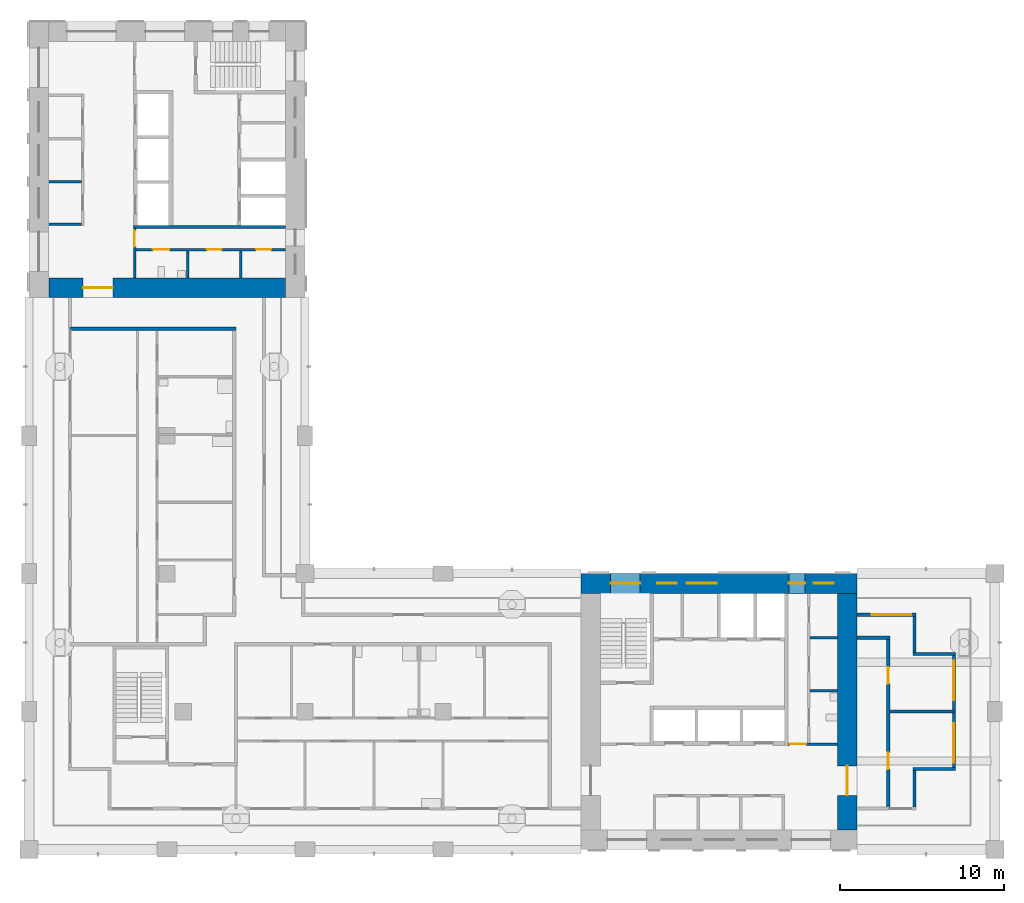
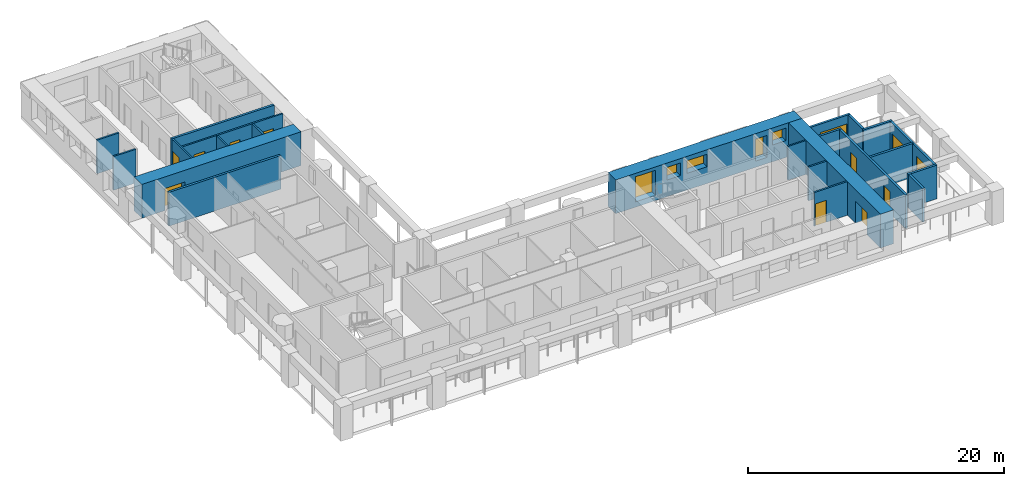
# One storey, part 5 of 13: 23 walls, 10 doors, 7 windows, 17 openings.
"""IFC4 building model written with IfcOpenShell, lengths in metres."""

from ifc_helpers import new_model, si_unit, direction, frame, frame_2d, origin, place, context, subcontext, project, spatial, rectangle, extrude, material, layer, layer_set, type_object, element, fill, save


model = new_model("IFC4")

# Units and contexts
model_context = context("Model", 3, precision=1e-05, world=origin(), true_north=direction((0.0, 1.0)))
body_context = subcontext(model_context, "Body", "Model", "MODEL_VIEW")
ifc_project = project(units=[si_unit("LENGTHUNIT", "METRE"), si_unit("AREAUNIT", "SQUARE_METRE"), si_unit("VOLUMEUNIT", "CUBIC_METRE"), si_unit("PLANEANGLEUNIT", "RADIAN"), si_unit("MASSUNIT", "GRAM", prefix="KILO")], contexts=[model_context])

# Site, building, storey
site_placement = place(None, origin())
site = spatial("IfcSite", under=ifc_project, at=site_placement, CompositionType="ELEMENT")
building_placement = place(site_placement, origin())
building = spatial("IfcBuilding", under=site, at=building_placement, Name="Vermilion Gate Residences", CompositionType="ELEMENT")
storey_placement = place(building_placement, frame((0.0, 0.0, 196.699951171875)))
storey = spatial("IfcBuildingStorey", under=building, at=storey_placement, Name="L51", CompositionType="ELEMENT", Elevation=196.699951171875)

# Wall, opening, door
ifc_material_1 = material(Name="Masonry blockwork", Category="masonry")
ifc_layer_1 = layer(ifc_material_1, 0.14990234375)
ifc_layer_set_1 = layer_set([ifc_layer_1], Name="BLOCKWORK PARTITION 150 EI 120")
wall_type_1 = type_object("IfcWallType", Name="BLOCKWORK PARTITION 150 EI 120", PredefinedType="PARTITIONING", material=ifc_layer_set_1)
wall_1_placement = place(storey_placement, frame((54.60009765625, 14.824951171875, 0.0), z_axis=(0.0, 0.0, 1.0), x_axis=(1.0, 0.0, 0.0)))
wall_1 = element("IfcWall", 1, at=wall_1_placement, inside=storey, type_object=wall_type_1, Name="Core room partition A51-ES-S", PredefinedType="PARTITIONING", context=body_context, shape_type="SweptSolid", body=[
    extrude(rectangle(XDim=3.0, YDim=0.14990234375, at=frame_2d((1.5, 0.0))), origin(), (0.0, 0.0, 1.0), 3.219970703125),
])
opening_1_placement = place(wall_1_placement, frame((0.10009765625, 0.0, 0.0)))
opening_1 = element("IfcOpeningElement", 2, at=opening_1_placement, cuts=wall_1, Name="Opening DK51015", PredefinedType="OPENING", context=body_context, shape_type="SweptSolid", body=[
    extrude(rectangle(XDim=1.0, YDim=2.10009765625, at=frame_2d((0.5, 1.050048828125))), frame((0.0, 0.0849609375, 0.0), z_axis=(0.0, -1.0, 0.0), x_axis=(1.0, 0.0, 0.0)), (0.0, 0.0, 1.0), 0.169921875),
])
ifc_material_2 = material(Name="Steel", Category="steel")
door_type_1 = type_object("IfcDoorType", Name="FIRE DOOR FD60 1000 X 2100", OperationType="SINGLE_SWING_LEFT", PredefinedType="DOOR", material=ifc_material_2)
door_1_placement = place(opening_1_placement, frame((1.0, 0.0, 0.0), z_axis=(0.0, 0.0, 1.0), x_axis=(-1.0, 0.0, 0.0)))
door_1 = element("IfcDoor", 3, at=door_1_placement, inside=storey, type_object=door_type_1, Name="Service corridor door A51", OperationType="SINGLE_SWING_LEFT", OverallHeight=2.10009765625, OverallWidth=1.0, PredefinedType="DOOR", context=body_context, shape_type="SweptSolid", body=[
    extrude(rectangle(XDim=1.0, YDim=2.10009765625, at=frame_2d((0.5, 1.050048828125))), frame((0.0, 0.02490234375, 0.0), z_axis=(0.0, -1.0, 0.0), x_axis=(1.0, 0.0, 0.0)), (0.0, 0.0, 1.0), 0.050048828125),
])
fill(opening_1, door_1)

# Walls
for number, where, z_axis, x_axis, name in (
    (4, (55.949951171875, 18.054931640625, 0.0), (0.0, 0.0, 1.0), (1.0, 0.0, 0.0), "Core room partition A51-ES-P0"),
    (5, (55.949951171875, 21.284912109375, 0.0), (0.0, 0.0, 1.0), (1.0, 0.0, 0.0), "Core room partition A51-ES-P1"),
):
    element("IfcWall", number, at=place(storey_placement, frame(where, z_axis=z_axis, x_axis=x_axis)), inside=storey, type_object=wall_type_1, Name=name, PredefinedType="PARTITIONING", context=body_context, shape_type="SweptSolid", body=[
        extrude(rectangle(XDim=1.650146484375, YDim=0.14990234375, at=frame_2d((0.8251953125, 0.0))), origin(), (0.0, 0.0, 1.0), 3.219970703125),
    ])
for number, where, z_axis, x_axis, name in (
    (6, (9.60009765625, 46.47509765625, 0.0), (0.0, 0.0, 1.0), (1.0, 0.0, 0.0), "Core room partition B51-RW-E"),
    (7, (9.60009765625, 49.06689453125, 0.0), (0.0, 0.0, 1.0), (1.0, 0.0, 0.0), "Core room partition B51-SR-P1"),
):
    element("IfcWall", number, at=place(storey_placement, frame(where, z_axis=z_axis, x_axis=x_axis)), inside=storey, type_object=wall_type_1, Name=name, PredefinedType="PARTITIONING", context=body_context, shape_type="SweptSolid", body=[
        extrude(rectangle(XDim=2.0, YDim=0.14990234375, at=frame_2d((1.0, 0.0))), origin(), (0.0, 0.0, 1.0), 3.219970703125),
    ])

# Wall, opening, door
wall_2_placement = place(storey_placement, frame((14.824951171875, 46.199951171875, 0.0), z_axis=(0.0, 0.0, 1.0), x_axis=(0.0, -1.0, 0.0)))
wall_2 = element("IfcWall", 8, at=wall_2_placement, inside=storey, type_object=wall_type_1, Name="Core room partition B51-ES-S", PredefinedType="PARTITIONING", context=body_context, shape_type="SweptSolid", body=[
    extrude(rectangle(XDim=3.0, YDim=0.14990234375, at=frame_2d((1.5, 0.0))), origin(), (0.0, 0.0, 1.0), 3.219970703125),
])
opening_2_placement = place(wall_2_placement, frame((0.10009765625, 0.0, 0.0)))
opening_2 = element("IfcOpeningElement", 9, at=opening_2_placement, cuts=wall_2, Name="Opening DK51114", PredefinedType="OPENING", context=body_context, shape_type="SweptSolid", body=[
    extrude(rectangle(XDim=1.0, YDim=2.10009765625, at=frame_2d((0.5, 1.050048828125))), frame((0.0, 0.0849609375, 0.0), z_axis=(0.0, -1.0, 0.0), x_axis=(1.0, 0.0, 0.0)), (0.0, 0.0, 1.0), 0.169921875),
])
door_2_placement = place(opening_2_placement, frame((1.0, 0.0, 0.0), z_axis=(0.0, 0.0, 1.0), x_axis=(-1.0, 0.0, 0.0)))
door_2 = element("IfcDoor", 10, at=door_2_placement, inside=storey, type_object=door_type_1, Name="Service corridor door B51", OperationType="SINGLE_SWING_LEFT", OverallHeight=2.10009765625, OverallWidth=1.0, PredefinedType="DOOR", context=body_context, shape_type="SweptSolid", body=[
    extrude(rectangle(XDim=1.0, YDim=2.10009765625, at=frame_2d((0.5, 1.050048828125))), frame((0.0, 0.02490234375, 0.0), z_axis=(0.0, -1.0, 0.0), x_axis=(1.0, 0.0, 0.0)), (0.0, 0.0, 1.0), 0.050048828125),
])
fill(opening_2, door_2)

# Walls
for number, where, z_axis, x_axis, name in (
    (11, (18.054931640625, 44.85009765625, 0.0), (0.0, 0.0, 1.0), (0.0, -1.0, 0.0), "Core room partition B51-ES-P0"),
    (12, (21.284912109375, 44.85009765625, 0.0), (0.0, 0.0, 1.0), (0.0, -1.0, 0.0), "Core room partition B51-ES-P1"),
):
    element("IfcWall", number, at=place(storey_placement, frame(where, z_axis=z_axis, x_axis=x_axis)), inside=storey, type_object=wall_type_1, Name=name, PredefinedType="PARTITIONING", context=body_context, shape_type="SweptSolid", body=[
        extrude(rectangle(XDim=1.650146484375, YDim=0.14990234375, at=frame_2d((0.8251953125, 0.0))), origin(), (0.0, 0.0, 1.0), 3.219970703125),
    ])

# Wall, openings, doors
wall_3_placement = place(storey_placement, frame((14.89990234375, 44.925048828125, 0.0), z_axis=(0.0, 0.0, 1.0), x_axis=(1.0, 0.0, 0.0)))
wall_3 = element("IfcWall", 13, at=wall_3_placement, inside=storey, type_object=wall_type_1, Name="Core room partition B51-ES-W", PredefinedType="PARTITIONING", context=body_context, shape_type="SweptSolid", body=[
    extrude(rectangle(XDim=9.10009765625, YDim=0.14990234375, at=frame_2d((4.550048828125, 0.0))), origin(), (0.0, 0.0, 1.0), 3.219970703125),
])
opening_3_placement = place(wall_3_placement, frame((1.0400390625, 0.0, 0.0)))
opening_3 = element("IfcOpeningElement", 14, at=opening_3_placement, cuts=wall_3, Name="Opening DK51115", PredefinedType="OPENING", context=body_context, shape_type="SweptSolid", body=[
    extrude(rectangle(XDim=1.0, YDim=2.10009765625, at=frame_2d((0.5, 1.050048828125))), frame((0.0, 0.0849609375, 0.0), z_axis=(0.0, -1.0, 0.0), x_axis=(1.0, 0.0, 0.0)), (0.0, 0.0, 1.0), 0.169921875),
])
opening_4_placement = place(wall_3_placement, frame((4.320068359375, 0.0, 0.0)))
opening_4 = element("IfcOpeningElement", 15, at=opening_4_placement, cuts=wall_3, Name="Opening DK51116", PredefinedType="OPENING", context=body_context, shape_type="SweptSolid", body=[
    extrude(rectangle(XDim=0.89990234375, YDim=2.10009765625, at=frame_2d((0.449951171875, 1.050048828125))), frame((0.0, 0.0849609375, 0.0), z_axis=(0.0, -1.0, 0.0), x_axis=(1.0, 0.0, 0.0)), (0.0, 0.0, 1.0), 0.169921875),
])
opening_5_placement = place(wall_3_placement, frame((7.330078125, 0.0, 0.0)))
opening_5 = element("IfcOpeningElement", 16, at=opening_5_placement, cuts=wall_3, Name="Opening DK51117", PredefinedType="OPENING", context=body_context, shape_type="SweptSolid", body=[
    extrude(rectangle(XDim=0.89990234375, YDim=2.10009765625, at=frame_2d((0.449951171875, 1.050048828125))), frame((0.0, 0.0849609375, 0.0), z_axis=(0.0, -1.0, 0.0), x_axis=(1.0, 0.0, 0.0)), (0.0, 0.0, 1.0), 0.169921875),
])
door_3_placement = place(opening_3_placement, frame((1.0, 0.0, 0.0), z_axis=(0.0, 0.0, 1.0), x_axis=(-1.0, 0.0, 0.0)))
door_3 = element("IfcDoor", 17, at=door_3_placement, inside=storey, type_object=door_type_1, Name="Accessible WC B51", OperationType="SINGLE_SWING_LEFT", OverallHeight=2.10009765625, OverallWidth=1.0, PredefinedType="DOOR", context=body_context, shape_type="SweptSolid", body=[
    extrude(rectangle(XDim=1.0, YDim=2.10009765625, at=frame_2d((0.5, 1.050048828125))), frame((0.0, 0.02490234375, 0.0), z_axis=(0.0, -1.0, 0.0), x_axis=(1.0, 0.0, 0.0)), (0.0, 0.0, 1.0), 0.050048828125),
])
fill(opening_3, door_3)
ifc_material_3 = material(Name="Steel", Category="steel")
door_type_2 = type_object("IfcDoorType", Name="SERVICE ROOM DOOR FD60 900 X 2100", OperationType="SINGLE_SWING_LEFT", PredefinedType="DOOR", material=ifc_material_3)
door_4_placement = place(opening_4_placement, frame((0.89990234375, 0.0, 0.0), z_axis=(0.0, 0.0, 1.0), x_axis=(-1.0, 0.0, 0.0)))
door_4 = element("IfcDoor", 18, at=door_4_placement, inside=storey, type_object=door_type_2, Name="Refuse room B51", OperationType="SINGLE_SWING_RIGHT", OverallHeight=2.10009765625, OverallWidth=0.89990234375, PredefinedType="DOOR", context=body_context, shape_type="SweptSolid", body=[
    extrude(rectangle(XDim=0.89990234375, YDim=2.10009765625, at=frame_2d((0.449951171875, 1.050048828125))), frame((0.0, 0.02490234375, 0.0), z_axis=(0.0, -1.0, 0.0), x_axis=(1.0, 0.0, 0.0)), (0.0, 0.0, 1.0), 0.050048828125),
])
fill(opening_4, door_4)
door_5_placement = place(opening_5_placement, frame((0.89990234375, 0.0, 0.0), z_axis=(0.0, 0.0, 1.0), x_axis=(-1.0, 0.0, 0.0)))
door_5 = element("IfcDoor", 19, at=door_5_placement, inside=storey, type_object=door_type_2, Name="Parcel room B51", OperationType="SINGLE_SWING_LEFT", OverallHeight=2.10009765625, OverallWidth=0.89990234375, PredefinedType="DOOR", context=body_context, shape_type="SweptSolid", body=[
    extrude(rectangle(XDim=0.89990234375, YDim=2.10009765625, at=frame_2d((0.449951171875, 1.050048828125))), frame((0.0, 0.02490234375, 0.0), z_axis=(0.0, -1.0, 0.0), x_axis=(1.0, 0.0, 0.0)), (0.0, 0.0, 1.0), 0.050048828125),
])
fill(opening_5, door_5)

# Walls
ifc_material_4 = material(Name="Insulated steel stud wall with terracotta rainscreen", Category="masonry")
ifc_layer_2 = layer(ifc_material_4, 0.199951171875)
ifc_layer_set_2 = layer_set([ifc_layer_2], Name="EXTERNAL WALL 200 TERRACOTTA RAINSCREEN")
wall_type_2 = type_object("IfcWallType", Name="EXTERNAL WALL 200 TERRACOTTA RAINSCREEN", PredefinedType="SOLIDWALL", material=ifc_layer_set_2)
wall_4_placement = place(storey_placement, frame((62.300048828125, 11.0, 0.0), z_axis=(0.0, 0.0, 1.0), x_axis=(0.0, 1.0, 0.0)))
element("IfcWall", 20, at=wall_4_placement, inside=storey, type_object=wall_type_2, Name="External wall", PredefinedType="SOLIDWALL", context=body_context, shape_type="SweptSolid", body=[
    extrude(rectangle(XDim=2.199951171875, YDim=0.199951171875, at=frame_2d((1.10009765625, 0.0))), origin(), (0.0, 0.0, 1.0), 3.219970703125),
])
wall_5_placement = place(storey_placement, frame((62.199951171875, 13.300048828125, 0.0), z_axis=(0.0, 0.0, 1.0), x_axis=(1.0, 0.0, 0.0)))
element("IfcWall", 21, at=wall_5_placement, inside=storey, type_object=wall_type_2, Name="External wall", PredefinedType="SOLIDWALL", context=body_context, shape_type="SweptSolid", body=[
    extrude(rectangle(XDim=2.60009765625, YDim=0.199951171875, at=frame_2d((1.300048828125, 0.0))), origin(), (0.0, 0.0, 1.0), 3.219970703125),
])

# Wall, openings, door, window
wall_6_placement = place(storey_placement, frame((64.699951171875, 13.39990234375, 0.0), z_axis=(0.0, 0.0, 1.0), x_axis=(0.0, 1.0, 0.0)))
wall_6 = element("IfcWall", 22, at=wall_6_placement, inside=storey, type_object=wall_type_2, Name="External wall", PredefinedType="SOLIDWALL", context=body_context, shape_type="SweptSolid", body=[
    extrude(rectangle(XDim=6.800048828125, YDim=0.199951171875, at=frame_2d((3.39990234375, 0.0))), origin(), (0.0, 0.0, 1.0), 3.219970703125),
])
opening_6_placement = place(wall_6_placement, frame((0.300048828125, 0.0, 0.89990234375)))
opening_6 = element("IfcOpeningElement", 23, at=opening_6_placement, cuts=wall_6, Name="Opening WE51016", PredefinedType="OPENING", context=body_context, shape_type="SweptSolid", body=[
    extrude(rectangle(XDim=2.39990234375, YDim=1.5, at=frame_2d((1.199951171875, 0.75))), frame((0.0, 0.10986328125, 0.0), z_axis=(0.0, -1.0, 0.0), x_axis=(1.0, 0.0, 0.0)), (0.0, 0.0, 1.0), 0.219970703125),
])
opening_7_placement = place(wall_6_placement, frame((4.10009765625, 0.0, 0.0)))
opening_7 = element("IfcOpeningElement", 24, at=opening_7_placement, cuts=wall_6, Name="Opening DE51019", PredefinedType="OPENING", context=body_context, shape_type="SweptSolid", body=[
    extrude(rectangle(XDim=2.39990234375, YDim=2.199951171875, at=frame_2d((1.199951171875, 1.10009765625))), frame((0.0, 0.10986328125, 0.0), z_axis=(0.0, -1.0, 0.0), x_axis=(1.0, 0.0, 0.0)), (0.0, 0.0, 1.0), 0.219970703125),
])
ifc_material_5 = material(Name="Aluminium and clear glass", Category="aluminium")
door_type_3 = type_object("IfcDoorType", Name="SLIDING GLAZED DOOR 2400 X 2200", OperationType="DOUBLE_DOOR_SLIDING", PredefinedType="DOOR", material=ifc_material_5)
door_6_placement = place(opening_7_placement, origin())
door_6 = element("IfcDoor", 25, at=door_6_placement, inside=storey, type_object=door_type_3, Name="Loggia sliding door", OperationType="DOUBLE_DOOR_SLIDING", OverallHeight=2.199951171875, OverallWidth=2.39990234375, PredefinedType="DOOR", context=body_context, shape_type="SweptSolid", body=[
    extrude(rectangle(XDim=2.39990234375, YDim=2.199951171875, at=frame_2d((1.199951171875, 1.10009765625))), frame((0.0, 0.02490234375, 0.0), z_axis=(0.0, -1.0, 0.0), x_axis=(1.0, 0.0, 0.0)), (0.0, 0.0, 1.0), 0.050048828125),
])
fill(opening_7, door_6)
ifc_material_6 = material(Name="Aluminium and clear glass", Category="aluminium")
window_type_1 = type_object("IfcWindowType", Name="WINDOW 2400 X 1500", PartitioningType="SINGLE_PANEL", PredefinedType="WINDOW", material=ifc_material_6)
window_1_placement = place(opening_6_placement, origin())
window_1 = element("IfcWindow", 26, at=window_1_placement, inside=storey, type_object=window_type_1, Name="Window", OverallHeight=1.5, OverallWidth=2.39990234375, PartitioningType="SINGLE_PANEL", PredefinedType="WINDOW", context=body_context, shape_type="SweptSolid", body=[
    extrude(rectangle(XDim=2.39990234375, YDim=1.5, at=frame_2d((1.199951171875, 0.75))), frame((0.0, 0.030029296875, 0.0), z_axis=(0.0, -1.0, 0.0), x_axis=(1.0, 0.0, 0.0)), (0.0, 0.0, 1.0), 0.06005859375),
])
fill(opening_6, window_1)

# Walls
wall_7_placement = place(storey_placement, frame((64.800048828125, 20.300048828125, 0.0), z_axis=(0.0, 0.0, 1.0), x_axis=(-1.0, 0.0, 0.0)))
element("IfcWall", 27, at=wall_7_placement, inside=storey, type_object=wall_type_2, Name="External wall", PredefinedType="SOLIDWALL", context=body_context, shape_type="SweptSolid", body=[
    extrude(rectangle(XDim=2.60009765625, YDim=0.199951171875, at=frame_2d((1.300048828125, 0.0))), origin(), (0.0, 0.0, 1.0), 3.219970703125),
])
wall_8_placement = place(storey_placement, frame((62.300048828125, 20.39990234375, 0.0), z_axis=(0.0, 0.0, 1.0), x_axis=(0.0, 1.0, 0.0)))
element("IfcWall", 28, at=wall_8_placement, inside=storey, type_object=wall_type_2, Name="External wall", PredefinedType="SOLIDWALL", context=body_context, shape_type="SweptSolid", body=[
    extrude(rectangle(XDim=2.2001953125, YDim=0.199951171875, at=frame_2d((1.10009765625, 0.0))), origin(), (0.0, 0.0, 1.0), 3.219970703125),
])

# Wall, opening, window
wall_9_placement = place(storey_placement, frame((62.39990234375, 22.699951171875, 0.0), z_axis=(0.0, 0.0, 1.0), x_axis=(-1.0, 0.0, 0.0)))
wall_9 = element("IfcWall", 29, at=wall_9_placement, inside=storey, type_object=wall_type_2, Name="External wall", PredefinedType="SOLIDWALL", context=body_context, shape_type="SweptSolid", body=[
    extrude(rectangle(XDim=3.599853515625, YDim=0.199951171875, at=frame_2d((1.7998046875, 0.0))), origin(), (0.0, 0.0, 1.0), 3.219970703125),
])
opening_8_placement = place(wall_9_placement, frame((0.300048828125, 0.0, 0.89990234375)))
opening_8 = element("IfcOpeningElement", 30, at=opening_8_placement, cuts=wall_9, Name="Opening WE51018", PredefinedType="OPENING", context=body_context, shape_type="SweptSolid", body=[
    extrude(rectangle(XDim=2.39990234375, YDim=1.5, at=frame_2d((1.199951171875, 0.75))), frame((0.0, 0.10986328125, 0.0), z_axis=(0.0, -1.0, 0.0), x_axis=(1.0, 0.0, 0.0)), (0.0, 0.0, 1.0), 0.219970703125),
])
window_2_placement = place(opening_8_placement, origin())
window_2 = element("IfcWindow", 31, at=window_2_placement, inside=storey, type_object=window_type_1, Name="Window", OverallHeight=1.5, OverallWidth=2.39990234375, PartitioningType="SINGLE_PANEL", PredefinedType="WINDOW", context=body_context, shape_type="SweptSolid", body=[
    extrude(rectangle(XDim=2.39990234375, YDim=1.5, at=frame_2d((1.199951171875, 0.75))), frame((0.0, 0.030029296875, 0.0), z_axis=(0.0, -1.0, 0.0), x_axis=(1.0, 0.0, 0.0)), (0.0, 0.0, 1.0), 0.06005859375),
])
fill(opening_8, window_2)

# Walls
ifc_material_7 = material(Name="Fire-rated plasterboard on steel studs", Category="steel")
ifc_layer_3 = layer(ifc_material_7, 0.199951171875)
ifc_layer_set_3 = layer_set([ifc_layer_3], Name="PARTY WALL 200 EI 120")
wall_type_3 = type_object("IfcWallType", Name="PARTY WALL 200 EI 120", PredefinedType="PARTITIONING", material=ifc_layer_set_3)
wall_10_placement = place(storey_placement, frame((60.800048828125, 16.800048828125, 0.0), z_axis=(0.0, 0.0, 1.0), x_axis=(1.0, 0.0, 0.0)))
element("IfcWall", 32, at=wall_10_placement, inside=storey, type_object=wall_type_3, Name="Party and corridor wall", PredefinedType="PARTITIONING", context=body_context, shape_type="SweptSolid", body=[
    extrude(rectangle(XDim=3.89990234375, YDim=0.199951171875, at=frame_2d((1.949951171875, 0.0))), origin(), (0.0, 0.0, 1.0), 3.219970703125),
])
wall_11_placement = place(storey_placement, frame((58.800048828125, 21.300048828125, 0.0), z_axis=(0.0, 0.0, 1.0), x_axis=(1.0, 0.0, 0.0)))
element("IfcWall", 33, at=wall_11_placement, inside=storey, type_object=wall_type_3, Name="Party and corridor wall", PredefinedType="PARTITIONING", context=body_context, shape_type="SweptSolid", body=[
    extrude(rectangle(XDim=2.0, YDim=0.199951171875, at=frame_2d((1.0, 0.0))), origin(), (0.0, 0.0, 1.0), 3.219970703125),
])
wall_12_placement = place(storey_placement, frame((10.89990234375, 40.10009765625, 0.0), z_axis=(0.0, 0.0, 1.0), x_axis=(1.0, 0.0, 0.0)))
element("IfcWall", 34, at=wall_12_placement, inside=storey, type_object=wall_type_3, Name="Party and corridor wall", PredefinedType="PARTITIONING", context=body_context, shape_type="SweptSolid", body=[
    extrude(rectangle(XDim=10.10009765625, YDim=0.199951171875, at=frame_2d((5.050048828125, 0.0))), origin(), (0.0, 0.0, 1.0), 3.219970703125),
])

# Wall, openings, doors
wall_13_placement = place(storey_placement, frame((60.699951171875, 10.89990234375, 0.0), z_axis=(0.0, 0.0, 1.0), x_axis=(0.0, 1.0, 0.0)))
wall_13 = element("IfcWall", 35, at=wall_13_placement, inside=storey, type_object=wall_type_3, Name="Party and corridor wall", PredefinedType="PARTITIONING", context=body_context, shape_type="SweptSolid", body=[
    extrude(rectangle(XDim=10.300048828125, YDim=0.199951171875, at=frame_2d((5.14990234375, 0.0))), origin(), (0.0, 0.0, 1.0), 3.219970703125),
])
opening_9_placement = place(wall_13_placement, frame((2.39990234375, 0.0, 0.0)))
opening_9 = element("IfcOpeningElement", 36, at=opening_9_placement, cuts=wall_13, Name="Opening DA49021", PredefinedType="OPENING", context=body_context, shape_type="SweptSolid", body=[
    extrude(rectangle(XDim=1.0, YDim=2.10009765625, at=frame_2d((0.5, 1.050048828125))), frame((0.0, 0.10986328125, 0.0), z_axis=(0.0, -1.0, 0.0), x_axis=(1.0, 0.0, 0.0)), (0.0, 0.0, 1.0), 0.219970703125),
])
opening_10_placement = place(wall_13_placement, frame((7.60009765625, 0.0, 0.0)))
opening_10 = element("IfcOpeningElement", 37, at=opening_10_placement, cuts=wall_13, Name="Opening DA49022", PredefinedType="OPENING", context=body_context, shape_type="SweptSolid", body=[
    extrude(rectangle(XDim=1.0, YDim=2.10009765625, at=frame_2d((0.5, 1.050048828125))), frame((0.0, 0.10986328125, 0.0), z_axis=(0.0, -1.0, 0.0), x_axis=(1.0, 0.0, 0.0)), (0.0, 0.0, 1.0), 0.219970703125),
])
ifc_material_8 = material(Name="Steel", Category="steel")
door_type_4 = type_object("IfcDoorType", Name="ENTRANCE DOOR 1000 X 2100 FD30", OperationType="SINGLE_SWING_LEFT", PredefinedType="DOOR", material=ifc_material_8)
door_7_placement = place(opening_9_placement, frame((1.0, 0.0, 0.0), z_axis=(0.0, 0.0, 1.0), x_axis=(-1.0, 0.0, 0.0)))
door_7 = element("IfcDoor", 38, at=door_7_placement, inside=storey, type_object=door_type_4, Name="Entrance door", OperationType="SINGLE_SWING_RIGHT", OverallHeight=2.10009765625, OverallWidth=1.0, PredefinedType="DOOR", context=body_context, shape_type="SweptSolid", body=[
    extrude(rectangle(XDim=1.0, YDim=2.10009765625, at=frame_2d((0.5, 1.050048828125))), frame((0.0, 0.02490234375, 0.0), z_axis=(0.0, -1.0, 0.0), x_axis=(1.0, 0.0, 0.0)), (0.0, 0.0, 1.0), 0.050048828125),
])
fill(opening_9, door_7)
door_8_placement = place(opening_10_placement, frame((1.0, 0.0, 0.0), z_axis=(0.0, 0.0, 1.0), x_axis=(-1.0, 0.0, 0.0)))
door_8 = element("IfcDoor", 39, at=door_8_placement, inside=storey, type_object=door_type_4, Name="Entrance door", OperationType="SINGLE_SWING_RIGHT", OverallHeight=2.10009765625, OverallWidth=1.0, PredefinedType="DOOR", context=body_context, shape_type="SweptSolid", body=[
    extrude(rectangle(XDim=1.0, YDim=2.10009765625, at=frame_2d((0.5, 1.050048828125))), frame((0.0, 0.02490234375, 0.0), z_axis=(0.0, -1.0, 0.0), x_axis=(1.0, 0.0, 0.0)), (0.0, 0.0, 1.0), 0.050048828125),
])
fill(opening_10, door_8)

# Wall
ifc_material_9 = material(Name="Concrete C60", Category="concrete")
ifc_layer_4 = layer(ifc_material_9, 0.199951171875)
ifc_layer_set_4 = layer_set([ifc_layer_4], Name="RC CORE INTERNAL WALL 200 C60")
wall_type_4 = type_object("IfcWallType", Name="RC CORE INTERNAL WALL 200 C60", PredefinedType="SHEAR", material=ifc_layer_set_4)
wall_14_placement = place(storey_placement, frame((14.75, 46.300048828125, 0.0), z_axis=(0.0, 0.0, 1.0), x_axis=(1.0, 0.0, 0.0)))
element("IfcWall", 40, at=wall_14_placement, inside=storey, type_object=wall_type_4, Name="Core internal wall B51-EDIV", PredefinedType="SHEAR", context=body_context, shape_type="SweptSolid", body=[
    extrude(rectangle(XDim=9.25, YDim=0.199951171875, at=frame_2d((4.625, 0.0))), origin(), (0.0, 0.0, 1.0), 3.219970703125),
])

# Wall, opening, door
ifc_material_10 = material(Name="Concrete C60", Category="concrete")
ifc_layer_5 = layer(ifc_material_10, 1.199951171875)
ifc_layer_set_5 = layer_set([ifc_layer_5], Name="RC CORE WALL 1200 C60")
wall_type_5 = type_object("IfcWallType", Name="RC CORE WALL 1200 C60", PredefinedType="SHEAR", material=ifc_layer_set_5)
wall_15_placement = place(storey_placement, frame((58.199951171875, 9.60009765625, 0.0), z_axis=(0.0, 0.0, 1.0), x_axis=(0.0, 1.0, 0.0)))
wall_15 = element("IfcWall", 41, at=wall_15_placement, inside=storey, type_object=wall_type_5, Name="Core wall A51-OUT-BK", PredefinedType="SHEAR", context=body_context, shape_type="SweptSolid", body=[
    extrude(rectangle(XDim=14.39990234375, YDim=1.199951171875, at=frame_2d((7.199951171875, 0.0))), origin(), (0.0, 0.0, 1.0), 3.219970703125),
])
opening_11_placement = place(wall_15_placement, frame((2.10009765625, 0.0, 0.0)))
opening_11 = element("IfcOpeningElement", 42, at=opening_11_placement, cuts=wall_15, Name="Opening DK51002", PredefinedType="OPENING", context=body_context, shape_type="SweptSolid", body=[
    extrude(rectangle(XDim=1.800048828125, YDim=2.10009765625, at=frame_2d((0.89990234375, 1.050048828125))), frame((0.0, 0.60986328125, 0.0), z_axis=(0.0, -1.0, 0.0), x_axis=(1.0, 0.0, 0.0)), (0.0, 0.0, 1.0), 1.219970703125),
])
ifc_material_11 = material(Name="Steel", Category="steel")
door_type_5 = type_object("IfcDoorType", Name="CORE LOBBY DOOR FD60 1800 X 2100", OperationType="DOUBLE_DOOR_SINGLE_SWING", PredefinedType="DOOR", material=ifc_material_11)
door_9_placement = place(opening_11_placement, origin())
door_9 = element("IfcDoor", 43, at=door_9_placement, inside=storey, type_object=door_type_5, Name="Core lobby door A51", OperationType="DOUBLE_DOOR_SINGLE_SWING", OverallHeight=2.10009765625, OverallWidth=1.800048828125, PredefinedType="DOOR", context=body_context, shape_type="SweptSolid", body=[
    extrude(rectangle(XDim=1.800048828125, YDim=2.10009765625, at=frame_2d((0.89990234375, 1.050048828125))), frame((0.0, 0.02490234375, 0.0), z_axis=(0.0, -1.0, 0.0), x_axis=(1.0, 0.0, 0.0)), (0.0, 0.0, 1.0), 0.050048828125),
])
fill(opening_11, door_9)

wall_16_placement = place(storey_placement, frame((9.60009765625, 42.60009765625, 0.0), z_axis=(0.0, 0.0, 1.0), x_axis=(1.0, 0.0, 0.0)))
wall_16 = element("IfcWall", 44, at=wall_16_placement, inside=storey, type_object=wall_type_5, Name="Core wall B51-OUT-BK", PredefinedType="SHEAR", context=body_context, shape_type="SweptSolid", body=[
    extrude(rectangle(XDim=14.39990234375, YDim=1.199951171875, at=frame_2d((7.199951171875, 0.0))), origin(), (0.0, 0.0, 1.0), 3.219970703125),
])
opening_12_placement = place(wall_16_placement, frame((2.10009765625, 0.0, 0.0)))
opening_12 = element("IfcOpeningElement", 45, at=opening_12_placement, cuts=wall_16, Name="Opening DK51101", PredefinedType="OPENING", context=body_context, shape_type="SweptSolid", body=[
    extrude(rectangle(XDim=1.800048828125, YDim=2.10009765625, at=frame_2d((0.89990234375, 1.050048828125))), frame((0.0, 0.60986328125, 0.0), z_axis=(0.0, -1.0, 0.0), x_axis=(1.0, 0.0, 0.0)), (0.0, 0.0, 1.0), 1.219970703125),
])
door_10_placement = place(opening_12_placement, frame((1.800048828125, 0.0, 0.0), z_axis=(0.0, 0.0, 1.0), x_axis=(-1.0, 0.0, 0.0)))
door_10 = element("IfcDoor", 46, at=door_10_placement, inside=storey, type_object=door_type_5, Name="Core lobby door B51", OperationType="DOUBLE_DOOR_SINGLE_SWING", OverallHeight=2.10009765625, OverallWidth=1.800048828125, PredefinedType="DOOR", context=body_context, shape_type="SweptSolid", body=[
    extrude(rectangle(XDim=1.800048828125, YDim=2.10009765625, at=frame_2d((0.89990234375, 1.050048828125))), frame((0.0, 0.02490234375, 0.0), z_axis=(0.0, -1.0, 0.0), x_axis=(1.0, 0.0, 0.0)), (0.0, 0.0, 1.0), 0.050048828125),
])
fill(opening_12, door_10)

# Wall, openings, windows
ifc_material_12 = material(Name="Concrete C60 red-oxide pigmented", Category="concrete")
ifc_layer_6 = layer(ifc_material_12, 1.199951171875)
ifc_layer_set_6 = layer_set([ifc_layer_6], Name="RC CORE WALL 1200 C60 RED OXIDE")
wall_type_6 = type_object("IfcWallType", Name="RC CORE WALL 1200 C60 RED OXIDE", PredefinedType="SHEAR", material=ifc_layer_set_6)
wall_17_placement = place(storey_placement, frame((42.0, 24.60009765625, 0.0), z_axis=(0.0, 0.0, 1.0), x_axis=(1.0, 0.0, 0.0)))
wall_17 = element("IfcWall", 47, at=wall_17_placement, inside=storey, type_object=wall_type_6, Name="Core wall A51-OUT-B1", PredefinedType="SHEAR", context=body_context, shape_type="SweptSolid", body=[
    extrude(rectangle(XDim=16.800048828125, YDim=1.199951171875, at=frame_2d((8.39990234375, 0.0))), origin(), (0.0, 0.0, 1.0), 3.219970703125),
])
opening_13_placement = place(wall_17_placement, frame((1.800048828125, 0.0, 0.5)))
opening_13 = element("IfcOpeningElement", 48, at=opening_13_placement, cuts=wall_17, Name="Opening WKA5106", PredefinedType="OPENING", context=body_context, shape_type="SweptSolid", body=[
    extrude(rectangle(XDim=1.800048828125, YDim=2.39990234375, at=frame_2d((0.89990234375, 1.199951171875))), frame((0.0, 0.60986328125, 0.0), z_axis=(0.0, -1.0, 0.0), x_axis=(1.0, 0.0, 0.0)), (0.0, 0.0, 1.0), 1.219970703125),
])
opening_14_placement = place(wall_17_placement, frame((4.643798828125, 0.0, 1.60009765625)))
opening_14 = element("IfcOpeningElement", 49, at=opening_14_placement, cuts=wall_17, Name="Opening WKA5107", PredefinedType="OPENING", context=body_context, shape_type="SweptSolid", body=[
    extrude(rectangle(XDim=1.199951171875, YDim=1.199951171875, at=frame_2d((0.60009765625, 0.60009765625))), frame((0.0, 0.60986328125, 0.0), z_axis=(0.0, -1.0, 0.0), x_axis=(1.0, 0.0, 0.0)), (0.0, 0.0, 1.0), 1.219970703125),
])
opening_15_placement = place(wall_17_placement, frame((6.449951171875, 0.0, 1.60009765625)))
opening_15 = element("IfcOpeningElement", 50, at=opening_15_placement, cuts=wall_17, Name="Opening WKA5108", PredefinedType="OPENING", context=body_context, shape_type="SweptSolid", body=[
    extrude(rectangle(XDim=1.800048828125, YDim=1.199951171875, at=frame_2d((0.89990234375, 0.60009765625))), frame((0.0, 0.60986328125, 0.0), z_axis=(0.0, -1.0, 0.0), x_axis=(1.0, 0.0, 0.0)), (0.0, 0.0, 1.0), 1.219970703125),
])
opening_16_placement = place(wall_17_placement, frame((12.64990234375, 0.0, 0.60009765625)))
opening_16 = element("IfcOpeningElement", 51, at=opening_16_placement, cuts=wall_17, Name="Opening WKA5109", PredefinedType="OPENING", context=body_context, shape_type="SweptSolid", body=[
    extrude(rectangle(XDim=1.0, YDim=2.10009765625, at=frame_2d((0.5, 1.050048828125))), frame((0.0, 0.60986328125, 0.0), z_axis=(0.0, -1.0, 0.0), x_axis=(1.0, 0.0, 0.0)), (0.0, 0.0, 1.0), 1.219970703125),
])
opening_17_placement = place(wall_17_placement, frame((14.175048828125, 0.0, 1.60009765625)))
opening_17 = element("IfcOpeningElement", 52, at=opening_17_placement, cuts=wall_17, Name="Opening WKA5110", PredefinedType="OPENING", context=body_context, shape_type="SweptSolid", body=[
    extrude(rectangle(XDim=1.199951171875, YDim=1.199951171875, at=frame_2d((0.60009765625, 0.60009765625))), frame((0.0, 0.60986328125, 0.0), z_axis=(0.0, -1.0, 0.0), x_axis=(1.0, 0.0, 0.0)), (0.0, 0.0, 1.0), 1.219970703125),
])
ifc_material_13 = material(Name="Aluminium and clear glass", Category="aluminium")
window_type_2 = type_object("IfcWindowType", Name="CORE CORRIDOR WINDOW 1000 X 2100", PartitioningType="SINGLE_PANEL", PredefinedType="WINDOW", material=ifc_material_13)
window_3_placement = place(opening_16_placement, origin())
window_3 = element("IfcWindow", 53, at=window_3_placement, inside=storey, type_object=window_type_2, Name="Core corridor window", OverallHeight=2.10009765625, OverallWidth=1.0, PartitioningType="SINGLE_PANEL", PredefinedType="WINDOW", context=body_context, shape_type="SweptSolid", body=[
    extrude(rectangle(XDim=1.0, YDim=2.10009765625, at=frame_2d((0.5, 1.050048828125))), frame((0.0, 0.030029296875, 0.0), z_axis=(0.0, -1.0, 0.0), x_axis=(1.0, 0.0, 0.0)), (0.0, 0.0, 1.0), 0.06005859375),
])
fill(opening_16, window_3)
ifc_material_14 = material(Name="Aluminium frame with louvre blades", Category="aluminium")
window_type_3 = type_object("IfcWindowType", Name="CORE LOUVRE 1200 X 1200", PartitioningType="SINGLE_PANEL", PredefinedType="WINDOW", material=ifc_material_14)
window_4_placement = place(opening_14_placement, origin())
window_4 = element("IfcWindow", 54, at=window_4_placement, inside=storey, type_object=window_type_3, Name="Core louvre", OverallHeight=1.199951171875, OverallWidth=1.199951171875, PartitioningType="SINGLE_PANEL", PredefinedType="WINDOW", context=body_context, shape_type="SweptSolid", body=[
    extrude(rectangle(XDim=1.199951171875, YDim=1.199951171875, at=frame_2d((0.60009765625, 0.60009765625))), frame((0.0, 0.030029296875, 0.0), z_axis=(0.0, -1.0, 0.0), x_axis=(1.0, 0.0, 0.0)), (0.0, 0.0, 1.0), 0.06005859375),
])
fill(opening_14, window_4)
window_5_placement = place(opening_17_placement, origin())
window_5 = element("IfcWindow", 55, at=window_5_placement, inside=storey, type_object=window_type_3, Name="Core louvre", OverallHeight=1.199951171875, OverallWidth=1.199951171875, PartitioningType="SINGLE_PANEL", PredefinedType="WINDOW", context=body_context, shape_type="SweptSolid", body=[
    extrude(rectangle(XDim=1.199951171875, YDim=1.199951171875, at=frame_2d((0.60009765625, 0.60009765625))), frame((0.0, 0.030029296875, 0.0), z_axis=(0.0, -1.0, 0.0), x_axis=(1.0, 0.0, 0.0)), (0.0, 0.0, 1.0), 0.06005859375),
])
fill(opening_17, window_5)
ifc_material_15 = material(Name="Aluminium frame with louvre blades", Category="aluminium")
window_type_4 = type_object("IfcWindowType", Name="CORE LOUVRE 1800 X 1200", PartitioningType="SINGLE_PANEL", PredefinedType="WINDOW", material=ifc_material_15)
window_6_placement = place(opening_15_placement, origin())
window_6 = element("IfcWindow", 56, at=window_6_placement, inside=storey, type_object=window_type_4, Name="Core louvre", OverallHeight=1.199951171875, OverallWidth=1.800048828125, PartitioningType="SINGLE_PANEL", PredefinedType="WINDOW", context=body_context, shape_type="SweptSolid", body=[
    extrude(rectangle(XDim=1.800048828125, YDim=1.199951171875, at=frame_2d((0.89990234375, 0.60009765625))), frame((0.0, 0.030029296875, 0.0), z_axis=(0.0, -1.0, 0.0), x_axis=(1.0, 0.0, 0.0)), (0.0, 0.0, 1.0), 0.06005859375),
])
fill(opening_15, window_6)
ifc_material_16 = material(Name="Aluminium and clear glass", Category="aluminium")
window_type_5 = type_object("IfcWindowType", Name="CORE STAIR WINDOW 1800 X 2400", PartitioningType="SINGLE_PANEL", PredefinedType="WINDOW", material=ifc_material_16)
window_7_placement = place(opening_13_placement, origin())
window_7 = element("IfcWindow", 57, at=window_7_placement, inside=storey, type_object=window_type_5, Name="Core stair window", OverallHeight=2.39990234375, OverallWidth=1.800048828125, PartitioningType="SINGLE_PANEL", PredefinedType="WINDOW", context=body_context, shape_type="SweptSolid", body=[
    extrude(rectangle(XDim=1.800048828125, YDim=2.39990234375, at=frame_2d((0.89990234375, 1.199951171875))), frame((0.0, 0.030029296875, 0.0), z_axis=(0.0, -1.0, 0.0), x_axis=(1.0, 0.0, 0.0)), (0.0, 0.0, 1.0), 0.06005859375),
])
fill(opening_13, window_7)

save(model, "model.ifc")
